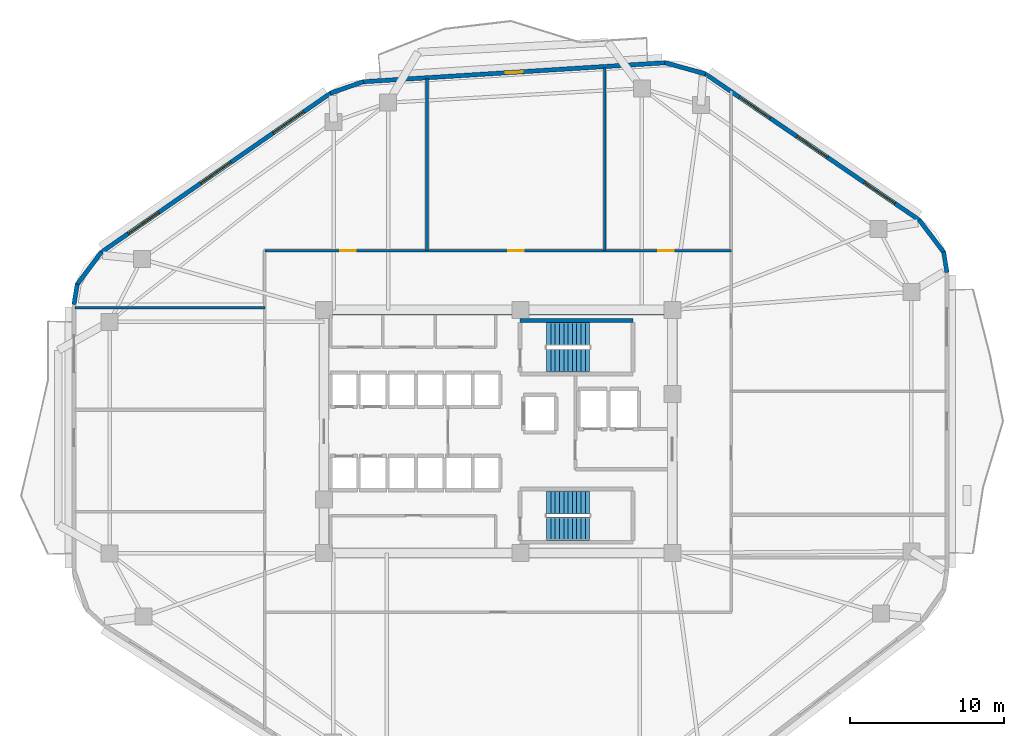
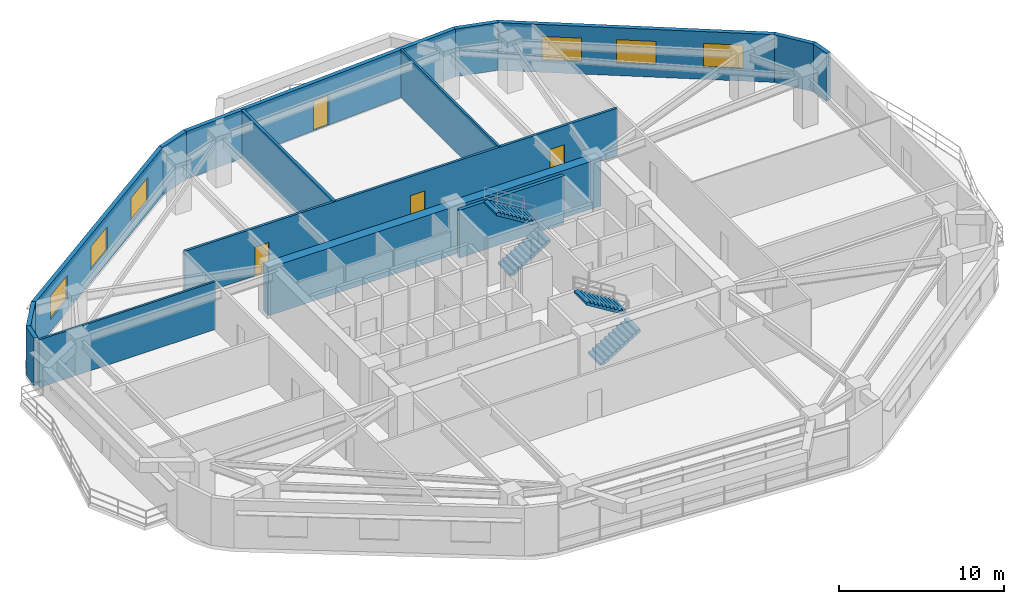
# One storey, part 9 of 12: 15 walls, 6 windows, 4 doors, 4 stair flights, 10 openings, 2 elements without a shape of their own.
"""IFC4 building model written with IfcOpenShell, lengths in metres."""

import ifcopenshell
import ifcopenshell.guid

model = None  # the IFC model being written
_history = None  # IfcOwnerHistory: only IFC2X3 demands one
_inside = {}  # id of a spatial element -> (the spatial element, [elements in it])
_under = {}  # id of a project, library or spatial element -> (it, [spatial elements below it])
_declared = {}  # id of a project -> (the project, [libraries it declares])
_typed = {}  # id of a type object -> (the type object, [elements of that type])
_made_of = {}  # id of a material, layer set ... -> (it, [elements and type objects made of it])


def new_model(schema):
    """Start an empty IFC model of exactly this schema.

    Asked for "IFC4X3", IfcOpenShell would pick the latest addendum, in which some entities
    have other attributes; the version numbers below select the first issue.
    IFC2X3 requires an IfcOwnerHistory on every rooted entity: one is made here for all.
    """
    global model, _history
    if schema == "IFC4X3":
        model = ifcopenshell.file(schema_version=(4, 3, 0, 0))
    else:
        model = ifcopenshell.file(schema=schema)
    _inside.clear()
    _under.clear()
    _declared.clear()
    _typed.clear()
    _made_of.clear()
    _history = None
    if model.schema == "IFC2X3":
        org = make("IfcOrganization", Name="unknown")
        user = make(
            "IfcPersonAndOrganization",
            ThePerson=make("IfcPerson", FamilyName="unknown"),
            TheOrganization=org,
        )
        app = make(
            "IfcApplication",
            ApplicationDeveloper=org,
            Version="unknown",
            ApplicationFullName="unknown",
            ApplicationIdentifier="unknown",
        )
        _history = make(
            "IfcOwnerHistory",
            OwningUser=user,
            OwningApplication=app,
            ChangeAction="ADDED",
            CreationDate=0,
        )
    return model


def make(cls, **values):
    """One entity of the class cls with the attributes given. An attribute that is None is left unset."""
    return model.create_entity(
        cls, **{name: value for name, value in values.items() if value is not None}
    )


def rooted(cls, **values):
    """An entity with a GlobalId (a new one), such as an element, a storey or a relation."""
    return make(cls, GlobalId=ifcopenshell.guid.new(), OwnerHistory=_history, **values)


def si_unit(unit_type, name, prefix=None):
    """IfcSIUnit, for example si_unit("LENGTHUNIT", "METRE", prefix="MILLI")."""
    return make("IfcSIUnit", UnitType=unit_type, Prefix=prefix, Name=name)


def assignment(units):
    """IfcUnitAssignment: the units of a project."""
    return None if units is None else make("IfcUnitAssignment", Units=units)


def point(xyz):
    """IfcCartesianPoint."""
    return None if xyz is None else make("IfcCartesianPoint", Coordinates=xyz)


def direction(xyz):
    """IfcDirection."""
    return None if xyz is None else make("IfcDirection", DirectionRatios=xyz)


def frame(location, z_axis=None, x_axis=None):
    """IfcAxis2Placement3D, a coordinate frame: its origin and axes. An axis left out is left unset."""
    return make(
        "IfcAxis2Placement3D",
        Location=point(location),
        Axis=direction(z_axis),
        RefDirection=direction(x_axis),
    )


def frame_2d(location, x_axis=None):
    """IfcAxis2Placement2D, a coordinate frame in the plane: its origin and x axis."""
    return make(
        "IfcAxis2Placement2D", Location=point(location), RefDirection=direction(x_axis)
    )


def origin():
    """The frame at (0, 0, 0) with its axes left unset."""
    return frame((0.0, 0.0, 0.0))


def place(relative_to, where):
    """IfcLocalPlacement: puts the frame where relative to a parent placement (None: the world)."""
    return make(
        "IfcLocalPlacement", PlacementRelTo=relative_to, RelativePlacement=where
    )


def context(
    kind, dimensions, precision=None, world=None, true_north=None, identifier=None
):
    """IfcGeometricRepresentationContext, for example the 3D "Model" context."""
    return make(
        "IfcGeometricRepresentationContext",
        ContextIdentifier=identifier,
        ContextType=kind,
        CoordinateSpaceDimension=dimensions,
        Precision=precision,
        WorldCoordinateSystem=world,
        TrueNorth=true_north,
    )


def subcontext(parent, identifier, kind, view, scale=None):
    """IfcGeometricRepresentationSubContext, for example "Body" below "Model"."""
    return make(
        "IfcGeometricRepresentationSubContext",
        ContextIdentifier=identifier,
        ContextType=kind,
        ParentContext=parent,
        TargetScale=scale,
        TargetView=view,
    )


def project(units=None, contexts=None):
    """IfcProject with its units and contexts."""
    return rooted(
        "IfcProject",
        Name="project",
        RepresentationContexts=contexts,
        UnitsInContext=assignment(units),
    )


def spatial(cls, under=None, at=None, **own):
    """A site, building, storey or space (cls), placed at a placement, below another one or the project."""
    s = rooted(cls, ObjectPlacement=at, **own)
    if under is not None:
        _under.setdefault(under.id(), (under, []))[1].append(s)
    return s


def polyline(points):
    """IfcPolyline through the points."""
    return make("IfcPolyline", Points=[point(p) for p in points])


def profile(cls, at=None, kind="AREA", **sizes):
    """A parametric profile (cls). Its sizes go by their IFC names, for example OverallWidth=200.0."""
    return make(cls, ProfileType=kind, Position=at, **sizes)


def rectangle(**sizes):
    """IfcRectangleProfileDef."""
    return profile("IfcRectangleProfileDef", **sizes)


def outline(outer, holes=None, kind="AREA"):
    """IfcArbitraryClosedProfileDef: a profile drawn as a closed curve; with holes, ...WithVoids."""
    if holes is None:
        return make("IfcArbitraryClosedProfileDef", ProfileType=kind, OuterCurve=outer)
    return make(
        "IfcArbitraryProfileDefWithVoids",
        ProfileType=kind,
        OuterCurve=outer,
        InnerCurves=holes,
    )


def extrude(swept, where, along, depth):
    """IfcExtrudedAreaSolid: the profile swept, set in the frame where, extruded along a direction by depth."""
    return make(
        "IfcExtrudedAreaSolid",
        SweptArea=swept,
        Position=where,
        ExtrudedDirection=direction(along),
        Depth=depth,
    )


def shape(context_of_items, identifier, shape_type, items):
    """IfcShapeRepresentation: the items that make up one representation, for example the "Body"."""
    return make(
        "IfcShapeRepresentation",
        ContextOfItems=context_of_items,
        RepresentationIdentifier=identifier,
        RepresentationType=shape_type,
        Items=items,
    )


def material(Name=None, Category=None):
    """IfcMaterial."""
    return make("IfcMaterial", Name=Name, Category=Category)


def layer(
    of_material, thickness, ventilated=None, Name=None, Category=None, Priority=None
):
    """IfcMaterialLayer: one layer of a wall or slab, of a material (None: an air gap)."""
    return make(
        "IfcMaterialLayer",
        Material=of_material,
        LayerThickness=thickness,
        IsVentilated=ventilated,
        Name=Name,
        Category=Category,
        Priority=Priority,
    )


def layer_set(layers, Name=None):
    """IfcMaterialLayerSet."""
    return make("IfcMaterialLayerSet", MaterialLayers=layers, LayerSetName=Name)


def made_of(thing, what):
    """Note that an element or type object is made of a material, layer set ...; save() writes the relation."""
    if what is not None:
        _made_of.setdefault(what.id(), (what, []))[1].append(thing)
    return thing


def type_object(cls, material=None, **own):
    """A type object (cls), such as IfcWallType, which elements share."""
    return made_of(rooted(cls, **own), material)


def element(
    cls,
    number,
    at=None,
    inside=None,
    cuts=None,
    type_object=None,
    material=None,
    context=None,
    identifier="Body",
    shape_type=None,
    held_by="IfcProductDefinitionShape",
    body=None,
    shapes=None,
    **own,
):
    """One element of the class cls, such as IfcWall. Its Tag is "e" and its number.

    at: its placement. inside: the storey or other place that contains it. cuts: it is an
    opening in that element (IfcRelVoidsElement). A single representation is given by context,
    identifier, shape_type and body (its items); several are given by shapes. held_by: the class
    of the entity that holds the representations. save() writes the other relations.
    """
    e = rooted(cls, Tag="e%d" % number, ObjectPlacement=at, **own)
    if body is not None:
        shapes = [shape(context, identifier, shape_type, body)]
    if shapes is not None:
        e.Representation = make(held_by, Representations=shapes)
    if inside is not None:
        _inside.setdefault(inside.id(), (inside, []))[1].append(e)
    if cuts is not None:
        rooted(
            "IfcRelVoidsElement", RelatingBuildingElement=cuts, RelatedOpeningElement=e
        )
    if type_object is not None:
        _typed.setdefault(type_object.id(), (type_object, []))[1].append(e)
    return made_of(e, material)


def fill(opening, filler):
    """IfcRelFillsElement: the door or window that sits in an opening."""
    return rooted(
        "IfcRelFillsElement",
        RelatingOpeningElement=opening,
        RelatedBuildingElement=filler,
    )


def aggregate(whole, parts):
    """IfcRelAggregates: a whole, such as a stair, and the parts it consists of."""
    return rooted("IfcRelAggregates", RelatingObject=whole, RelatedObjects=parts)


def save(model, path):
    """Write the relations noted so far, then the file.

    IfcRelAggregates (storeys below a building ...), IfcRelContainedInSpatialStructure (elements
    in a storey), IfcRelDefinesByType, IfcRelAssociatesMaterial and IfcRelDeclares: one each for
    every whole, place, type object, material and project.
    """
    for whole, parts in _under.values():
        aggregate(whole, parts)
    for where, things in _inside.values():
        rooted(
            "IfcRelContainedInSpatialStructure",
            RelatedElements=things,
            RelatingStructure=where,
        )
    for kind, things in _typed.values():
        rooted("IfcRelDefinesByType", RelatedObjects=things, RelatingType=kind)
    for what, things in _made_of.values():
        rooted("IfcRelAssociatesMaterial", RelatedObjects=things, RelatingMaterial=what)
    for by, libraries in _declared.values():
        rooted("IfcRelDeclares", RelatingContext=by, RelatedDefinitions=libraries)
    model.write(path)


model = new_model("IFC4")

# Units and contexts
model_context = context("Model", 3, precision=1e-05, world=origin(), true_north=direction((0.0, 1.0)))
body_context = subcontext(model_context, "Body", "Model", "MODEL_VIEW")
ifc_project = project(units=[si_unit("LENGTHUNIT", "METRE"), si_unit("AREAUNIT", "SQUARE_METRE"), si_unit("VOLUMEUNIT", "CUBIC_METRE"), si_unit("PLANEANGLEUNIT", "RADIAN"), si_unit("MASSUNIT", "GRAM", prefix="KILO")], contexts=[model_context])

# Site, building, storey
site_placement = place(None, origin())
site = spatial("IfcSite", under=ifc_project, at=site_placement, CompositionType="ELEMENT")
building_placement = place(site_placement, origin())
building = spatial("IfcBuilding", under=site, at=building_placement, Name="Zulverin Broadcast Headquarters", CompositionType="ELEMENT")
storey_placement = place(building_placement, frame((0.0, 0.0, 93.39990234375)))
storey = spatial("IfcBuildingStorey", under=building, at=storey_placement, Name="L23", CompositionType="ELEMENT", Elevation=93.39990234375)

# Walls
ifc_material_1 = material(Name="Acoustic drywall steel stud", Category="steel")
ifc_layer_1 = layer(ifc_material_1, 0.199951171875, Name="Acoustic drywall steel stud", Category="steel")
ifc_layer_set_1 = layer_set([ifc_layer_1], Name="Acoustic drywall steel stud")
wall_type_1 = type_object("IfcWallType", Name="WL-ACOU-200", PredefinedType="PARTITIONING", material=ifc_layer_set_1)
wall_1_placement = place(storey_placement, frame((32.39990234375, 36.90087890625, 0.0), z_axis=(0.0, 0.0, 1.0), x_axis=(0.0, 1.0, 0.0)))
element("IfcWall", 1, at=wall_1_placement, inside=storey, type_object=wall_type_1, Name="L23 Room Partition Wall RP-03", PredefinedType="PARTITIONING", context=body_context, shape_type="SweptSolid", body=[
    extrude(rectangle(XDim=11.130615234375, YDim=0.199951171875, at=frame_2d((5.5654296875, 0.0))), origin(), (0.0, 0.0, 1.0), 3.525146484375),
])
ifc_material_2 = material(Name="Concrete C60/75", Category="concrete")
ifc_layer_2 = layer(ifc_material_2, 0.64990234375, Name="Concrete C60/75", Category="concrete")
ifc_layer_set_2 = layer_set([ifc_layer_2], Name="Concrete C60/75")
wall_type_2 = type_object("IfcWallType", Name="WL-CORE-650", PredefinedType="SHEAR", material=ifc_layer_set_2)
wall_2_placement = place(storey_placement, frame((25.39990234375, 33.074951171875, 0.0), z_axis=(0.0, 0.0, 1.0), x_axis=(1.0, 0.0, 0.0)))
element("IfcWall", 2, at=wall_2_placement, inside=storey, type_object=wall_type_2, Name="L23 Core North Shear Wall", PredefinedType="SHEAR", context=body_context, shape_type="SweptSolid", body=[
    extrude(rectangle(XDim=23.2001953125, YDim=0.64990234375, at=frame_2d((11.60009765625, 0.0))), origin(), (0.0, 0.0, 1.0), 3.525146484375),
])

# Wall, openings, windows
ifc_material_3 = material(Name="Insulated pale-metal clad concrete spandrel C40/50", Category="concrete")
ifc_layer_3 = layer(ifc_material_3, 0.280029296875, Name="Insulated pale-metal clad concrete spandrel C40/50", Category="concrete")
ifc_layer_set_3 = layer_set([ifc_layer_3], Name="Insulated pale-metal clad concrete spandrel C40/50")
wall_type_3 = type_object("IfcWallType", Name="WL-EXT-280", PredefinedType="STANDARD", material=ifc_layer_set_3)
wall_3_placement = place(storey_placement, frame((64.289794921875, 38.8671875, 0.0), z_axis=(0.0, 0.0, 1.0), x_axis=(-0.825755550159, 0.564028165416, 0.0)))
wall_3 = element("IfcWall", 3, at=wall_3_placement, inside=storey, type_object=wall_type_3, Name="L23 Pale-Metal Clad Spandrel Wall 4", PredefinedType="STANDARD", context=body_context, shape_type="SweptSolid", body=[
    extrude(rectangle(XDim=16.848388671875, YDim=0.280029296875, at=frame_2d((8.42431640625, 0.0))), origin(), (0.0, 0.0, 1.0), 3.525146484375),
])
opening_1_placement = place(wall_3_placement, frame((1.94140625, 0.0, 0.89990234375)))
opening_1 = element("IfcOpeningElement", 4, at=opening_1_placement, cuts=wall_3, Name="Opening W-L23-E41", PredefinedType="OPENING", context=body_context, shape_type="SweptSolid", body=[
    extrude(rectangle(XDim=2.39990234375, YDim=1.75, at=frame_2d((1.199951171875, 0.875))), frame((0.0, 0.14990234375, 0.0), z_axis=(0.0, -1.0, 0.0), x_axis=(1.0, 0.0, 0.0)), (0.0, 0.0, 1.0), 0.300048828125),
])
opening_2_placement = place(wall_3_placement, frame((7.22412109375, 0.0, 0.89990234375)))
opening_2 = element("IfcOpeningElement", 5, at=opening_2_placement, cuts=wall_3, Name="Opening W-L23-E42", PredefinedType="OPENING", context=body_context, shape_type="SweptSolid", body=[
    extrude(rectangle(XDim=2.39990234375, YDim=1.75, at=frame_2d((1.199951171875, 0.875))), frame((0.0, 0.14990234375, 0.0), z_axis=(0.0, -1.0, 0.0), x_axis=(1.0, 0.0, 0.0)), (0.0, 0.0, 1.0), 0.300048828125),
])
opening_3_placement = place(wall_3_placement, frame((11.726806640625, 0.0, 0.89990234375)))
opening_3 = element("IfcOpeningElement", 6, at=opening_3_placement, cuts=wall_3, Name="Opening W-L23-E43", PredefinedType="OPENING", context=body_context, shape_type="SweptSolid", body=[
    extrude(rectangle(XDim=2.39990234375, YDim=1.75, at=frame_2d((1.199951171875, 0.875))), frame((0.0, 0.14990234375, 0.0), z_axis=(0.0, -1.0, 0.0), x_axis=(1.0, 0.0, 0.0)), (0.0, 0.0, 1.0), 0.300048828125),
])
ifc_material_4 = material(Name="Pale anodized aluminium frame with solar-control low-E double glazing", Category="aluminium")
window_type = type_object("IfcWindowType", Name="WIN-RIB-2400", PartitioningType="SINGLE_PANEL", PredefinedType="WINDOW", material=ifc_material_4)
window_1_placement = place(opening_1_placement, origin())
window_1 = element("IfcWindow", 7, at=window_1_placement, inside=storey, type_object=window_type, Name="L23 Ribbon Glazing Window 4 1", OverallHeight=1.75, OverallWidth=2.39990234375, PartitioningType="SINGLE_PANEL", PredefinedType="WINDOW", context=body_context, shape_type="SweptSolid", body=[
    extrude(rectangle(XDim=2.39990234375, YDim=1.75, at=frame_2d((1.199951171875, 0.875))), frame((0.0, 0.030029296875, 0.0), z_axis=(0.0, -1.0, 0.0), x_axis=(1.0, 0.0, 0.0)), (0.0, 0.0, 1.0), 0.06005859375),
])
fill(opening_1, window_1)
window_2_placement = place(opening_2_placement, origin())
window_2 = element("IfcWindow", 8, at=window_2_placement, inside=storey, type_object=window_type, Name="L23 Ribbon Glazing Window 4 2", OverallHeight=1.75, OverallWidth=2.39990234375, PartitioningType="SINGLE_PANEL", PredefinedType="WINDOW", context=body_context, shape_type="SweptSolid", body=[
    extrude(rectangle(XDim=2.39990234375, YDim=1.75, at=frame_2d((1.199951171875, 0.875))), frame((0.0, 0.030029296875, 0.0), z_axis=(0.0, -1.0, 0.0), x_axis=(1.0, 0.0, 0.0)), (0.0, 0.0, 1.0), 0.06005859375),
])
fill(opening_2, window_2)
window_3_placement = place(opening_3_placement, origin())
window_3 = element("IfcWindow", 9, at=window_3_placement, inside=storey, type_object=window_type, Name="L23 Ribbon Glazing Window 4 3", OverallHeight=1.75, OverallWidth=2.39990234375, PartitioningType="SINGLE_PANEL", PredefinedType="WINDOW", context=body_context, shape_type="SweptSolid", body=[
    extrude(rectangle(XDim=2.39990234375, YDim=1.75, at=frame_2d((1.199951171875, 0.875))), frame((0.0, 0.030029296875, 0.0), z_axis=(0.0, -1.0, 0.0), x_axis=(1.0, 0.0, 0.0)), (0.0, 0.0, 1.0), 0.06005859375),
])
fill(opening_3, window_3)

# Wall, opening, door
wall_4_placement = place(storey_placement, frame((47.831787109375, 49.0693359375, 0.0), z_axis=(0.0, 0.0, 1.0), x_axis=(-0.998017725054, -0.062933460723, 0.0)))
wall_4 = element("IfcWall", 10, at=wall_4_placement, inside=storey, type_object=wall_type_3, Name="L23 Pale-Metal Clad Spandrel Wall 5", PredefinedType="STANDARD", context=body_context, shape_type="SweptSolid", body=[
    extrude(rectangle(XDim=19.62939453125, YDim=0.280029296875, at=frame_2d((9.814697265625, 0.0))), origin(), (0.0, 0.0, 1.0), 3.525146484375),
])
opening_4_placement = place(wall_4_placement, frame((9.264892578125, 0.0, 0.0)))
opening_4 = element("IfcOpeningElement", 11, at=opening_4_placement, cuts=wall_4, Name="Opening D-L23-TR5", PredefinedType="OPENING", context=body_context, shape_type="SweptSolid", body=[
    extrude(rectangle(XDim=1.10009765625, YDim=2.199951171875, at=frame_2d((0.550048828125, 1.10009765625))), frame((0.0, 0.14990234375, 0.0), z_axis=(0.0, -1.0, 0.0), x_axis=(1.0, 0.0, 0.0)), (0.0, 0.0, 1.0), 0.300048828125),
])
ifc_material_5 = material(Name="Thermally broken aluminium glazed", Category="aluminium")
door_type_1 = type_object("IfcDoorType", Name="DR-TERR-1100", OperationType="SINGLE_SWING_RIGHT", PredefinedType="DOOR", material=ifc_material_5)
door_1_placement = place(opening_4_placement, origin())
door_1 = element("IfcDoor", 12, at=door_1_placement, inside=storey, type_object=door_type_1, Name="L23 Planted Terrace Glazed Access Door 5", OperationType="SINGLE_SWING_RIGHT", OverallHeight=2.199951171875, OverallWidth=1.10009765625, PredefinedType="DOOR", context=body_context, shape_type="SweptSolid", body=[
    extrude(rectangle(XDim=1.10009765625, YDim=2.199951171875, at=frame_2d((0.550048828125, 1.10009765625))), frame((0.0, 0.02490234375, 0.0), z_axis=(0.0, -1.0, 0.0), x_axis=(1.0, 0.0, 0.0)), (0.0, 0.0, 1.0), 0.050048828125),
])
fill(opening_4, door_1)

# Wall, openings, windows
wall_5_placement = place(storey_placement, frame((26.181884765625, 47.11767578125, 0.0), z_axis=(0.0, 0.0, 1.0), x_axis=(-0.821547956627, -0.570139417127, 0.0)))
wall_5 = element("IfcWall", 13, at=wall_5_placement, inside=storey, type_object=wall_type_3, Name="L23 Pale-Metal Clad Spandrel Wall 6", PredefinedType="STANDARD", context=body_context, shape_type="SweptSolid", body=[
    extrude(rectangle(XDim=18.13232421875, YDim=0.280029296875, at=frame_2d((9.066162109375, 0.0))), origin(), (0.0, 0.0, 1.0), 3.525146484375),
])
opening_5_placement = place(wall_5_placement, frame((2.155517578125, 0.0, 0.89990234375)))
opening_5 = element("IfcOpeningElement", 14, at=opening_5_placement, cuts=wall_5, Name="Opening W-L23-E61", PredefinedType="OPENING", context=body_context, shape_type="SweptSolid", body=[
    extrude(rectangle(XDim=2.39990234375, YDim=1.75, at=frame_2d((1.199951171875, 0.875))), frame((0.0, 0.14990234375, 0.0), z_axis=(0.0, -1.0, 0.0), x_axis=(1.0, 0.0, 0.0)), (0.0, 0.0, 1.0), 0.300048828125),
])
opening_6_placement = place(wall_5_placement, frame((7.8662109375, 0.0, 0.89990234375)))
opening_6 = element("IfcOpeningElement", 15, at=opening_6_placement, cuts=wall_5, Name="Opening W-L23-E62", PredefinedType="OPENING", context=body_context, shape_type="SweptSolid", body=[
    extrude(rectangle(XDim=2.39990234375, YDim=1.75, at=frame_2d((1.199951171875, 0.875))), frame((0.0, 0.14990234375, 0.0), z_axis=(0.0, -1.0, 0.0), x_axis=(1.0, 0.0, 0.0)), (0.0, 0.0, 1.0), 0.300048828125),
])
opening_7_placement = place(wall_5_placement, frame((13.576904296875, 0.0, 0.89990234375)))
opening_7 = element("IfcOpeningElement", 16, at=opening_7_placement, cuts=wall_5, Name="Opening W-L23-E63", PredefinedType="OPENING", context=body_context, shape_type="SweptSolid", body=[
    extrude(rectangle(XDim=2.39990234375, YDim=1.75, at=frame_2d((1.199951171875, 0.875))), frame((0.0, 0.14990234375, 0.0), z_axis=(0.0, -1.0, 0.0), x_axis=(1.0, 0.0, 0.0)), (0.0, 0.0, 1.0), 0.300048828125),
])
window_4_placement = place(opening_5_placement, origin())
window_4 = element("IfcWindow", 17, at=window_4_placement, inside=storey, type_object=window_type, Name="L23 Ribbon Glazing Window 6 1", OverallHeight=1.75, OverallWidth=2.39990234375, PartitioningType="SINGLE_PANEL", PredefinedType="WINDOW", context=body_context, shape_type="SweptSolid", body=[
    extrude(rectangle(XDim=2.39990234375, YDim=1.75, at=frame_2d((1.199951171875, 0.875))), frame((0.0, 0.030029296875, 0.0), z_axis=(0.0, -1.0, 0.0), x_axis=(1.0, 0.0, 0.0)), (0.0, 0.0, 1.0), 0.06005859375),
])
fill(opening_5, window_4)
window_5_placement = place(opening_6_placement, origin())
window_5 = element("IfcWindow", 18, at=window_5_placement, inside=storey, type_object=window_type, Name="L23 Ribbon Glazing Window 6 2", OverallHeight=1.75, OverallWidth=2.39990234375, PartitioningType="SINGLE_PANEL", PredefinedType="WINDOW", context=body_context, shape_type="SweptSolid", body=[
    extrude(rectangle(XDim=2.39990234375, YDim=1.75, at=frame_2d((1.199951171875, 0.875))), frame((0.0, 0.030029296875, 0.0), z_axis=(0.0, -1.0, 0.0), x_axis=(1.0, 0.0, 0.0)), (0.0, 0.0, 1.0), 0.06005859375),
])
fill(opening_6, window_5)
window_6_placement = place(opening_7_placement, origin())
window_6 = element("IfcWindow", 19, at=window_6_placement, inside=storey, type_object=window_type, Name="L23 Ribbon Glazing Window 6 3", OverallHeight=1.75, OverallWidth=2.39990234375, PartitioningType="SINGLE_PANEL", PredefinedType="WINDOW", context=body_context, shape_type="SweptSolid", body=[
    extrude(rectangle(XDim=2.39990234375, YDim=1.75, at=frame_2d((1.199951171875, 0.875))), frame((0.0, 0.030029296875, 0.0), z_axis=(0.0, -1.0, 0.0), x_axis=(1.0, 0.0, 0.0)), (0.0, 0.0, 1.0), 0.06005859375),
])
fill(opening_7, window_6)

# Walls
wall_6_placement = place(storey_placement, frame((66.061767578125, 35.491943359375, 0.0), z_axis=(0.0, 0.0, 1.0), x_axis=(-0.161182073582, 0.986924687682, 0.0)))
element("IfcWall", 20, at=wall_6_placement, inside=storey, type_object=wall_type_3, Name="L23 Wind-Shaped Corner Spandrel Wall 3-1", PredefinedType="STANDARD", context=body_context, shape_type="SweptSolid", body=[
    extrude(rectangle(XDim=1.354248046875, YDim=0.280029296875, at=frame_2d((0.67724609375, 0.0))), origin(), (0.0, 0.0, 1.0), 3.525146484375),
])
wall_7_placement = place(storey_placement, frame((65.8701171875, 36.7666015625, 0.0), z_axis=(0.0, 0.0, 1.0), x_axis=(-0.603370463754, 0.797461023166, 0.0)))
element("IfcWall", 21, at=wall_7_placement, inside=storey, type_object=wall_type_3, Name="L23 Wind-Shaped Corner Spandrel Wall 3-2", PredefinedType="STANDARD", context=body_context, shape_type="SweptSolid", body=[
    extrude(rectangle(XDim=2.6728515625, YDim=0.280029296875, at=frame_2d((1.33642578125, 0.0))), origin(), (0.0, 0.0, 1.0), 3.525146484375),
])
wall_8_placement = place(storey_placement, frame((50.419189453125, 48.3505859375, 0.0), z_axis=(0.0, 0.0, 1.0), x_axis=(-0.964254516967, 0.264977784933, 0.0)))
element("IfcWall", 22, at=wall_8_placement, inside=storey, type_object=wall_type_3, Name="L23 Wind-Shaped Corner Spandrel Wall 4-1", PredefinedType="STANDARD", context=body_context, shape_type="SweptSolid", body=[
    extrude(rectangle(XDim=2.73095703125, YDim=0.280029296875, at=frame_2d((1.365478515625, 0.0))), origin(), (0.0, 0.0, 1.0), 3.525146484375),
])
wall_9_placement = place(storey_placement, frame((28.2783203125, 47.841552734375, 0.0), z_axis=(0.0, 0.0, 1.0), x_axis=(-0.9444559001, -0.328638179106, 0.0)))
element("IfcWall", 23, at=wall_9_placement, inside=storey, type_object=wall_type_3, Name="L23 Wind-Shaped Corner Spandrel Wall 5-1", PredefinedType="STANDARD", context=body_context, shape_type="SweptSolid", body=[
    extrude(rectangle(XDim=2.25537109375, YDim=0.280029296875, at=frame_2d((1.127685546875, 0.0))), origin(), (0.0, 0.0, 1.0), 3.525146484375),
])
wall_10_placement = place(storey_placement, frame((11.317626953125, 36.81103515625, 0.0), z_axis=(0.0, 0.0, 1.0), x_axis=(-0.599455152629, -0.800408345775, 0.0)))
element("IfcWall", 24, at=wall_10_placement, inside=storey, type_object=wall_type_3, Name="L23 Wind-Shaped Corner Spandrel Wall 6-1", PredefinedType="STANDARD", context=body_context, shape_type="SweptSolid", body=[
    extrude(rectangle(XDim=2.6533203125, YDim=0.280029296875, at=frame_2d((1.32666015625, 0.0))), origin(), (0.0, 0.0, 1.0), 3.525146484375),
])
wall_11_placement = place(storey_placement, frame((9.753173828125, 34.748779296875, 0.0), z_axis=(0.0, 0.0, 1.0), x_axis=(-0.160037671962, -0.987110907423, 0.0)))
element("IfcWall", 25, at=wall_11_placement, inside=storey, type_object=wall_type_3, Name="L23 Wind-Shaped Corner Spandrel Wall 6-2", PredefinedType="STANDARD", context=body_context, shape_type="SweptSolid", body=[
    extrude(rectangle(XDim=1.343994140625, YDim=0.280029296875, at=frame_2d((0.671875, 0.0))), origin(), (0.0, 0.0, 1.0), 3.525146484375),
])
ifc_material_6 = material(Name="Fire-rated gypsum stud partition", Category="gypsum")
ifc_layer_4 = layer(ifc_material_6, 0.14990234375, Name="Fire-rated gypsum stud partition", Category="gypsum")
ifc_layer_set_4 = layer_set([ifc_layer_4], Name="Fire-rated gypsum stud partition")
wall_type_4 = type_object("IfcWallType", Name="WL-PART-150", PredefinedType="PARTITIONING", material=ifc_layer_set_4)
wall_12_placement = place(storey_placement, frame((43.89990234375, 36.89990234375, 0.0), z_axis=(0.0, 0.0, 1.0), x_axis=(0.0, 1.0, 0.0)))
element("IfcWall", 26, at=wall_12_placement, inside=storey, type_object=wall_type_4, Name="L23 Room Partition Wall RP-02", PredefinedType="PARTITIONING", context=body_context, shape_type="SweptSolid", body=[
    extrude(rectangle(XDim=11.856689453125, YDim=0.14990234375, at=frame_2d((5.92822265625, 0.0))), origin(), (0.0, 0.0, 1.0), 3.525146484375),
])
wall_13_placement = place(storey_placement, frame((9.60498046875, 33.199951171875, 0.0), z_axis=(0.0, 0.0, 1.0), x_axis=(1.0, 0.0, 0.0)))
element("IfcWall", 27, at=wall_13_placement, inside=storey, type_object=wall_type_4, Name="L23 Room Partition Wall RP-11", PredefinedType="PARTITIONING", context=body_context, shape_type="SweptSolid", body=[
    extrude(rectangle(XDim=12.2939453125, YDim=0.14990234375, at=frame_2d((6.14697265625, 0.0))), origin(), (0.0, 0.0, 1.0), 3.525146484375),
])

# Wall, openings, doors
ifc_material_7 = material(Name="Fire-rated acoustic stud wall", Category="gypsum")
ifc_layer_5 = layer(ifc_material_7, 0.175048828125, Name="Fire-rated acoustic stud wall", Category="gypsum")
ifc_layer_set_5 = layer_set([ifc_layer_5], Name="Fire-rated acoustic stud wall")
wall_type_5 = type_object("IfcWallType", Name="WL-PART-175", PredefinedType="PARTITIONING", material=ifc_layer_set_5)
wall_14_placement = place(storey_placement, frame((21.89990234375, 36.89990234375, 0.0), z_axis=(0.0, 0.0, 1.0), x_axis=(1.0, 0.0, 0.0)))
wall_14 = element("IfcWall", 28, at=wall_14_placement, inside=storey, type_object=wall_type_5, Name="L23 Gallery Partition Wall CG-12", PredefinedType="PARTITIONING", context=body_context, shape_type="SweptSolid", body=[
    extrude(rectangle(XDim=30.2001953125, YDim=0.175048828125, at=frame_2d((15.10009765625, 0.0))), origin(), (0.0, 0.0, 1.0), 3.525146484375),
])
opening_8_placement = place(wall_14_placement, frame((4.8701171875, 0.0, 0.0)))
opening_8 = element("IfcOpeningElement", 29, at=opening_8_placement, cuts=wall_14, Name="Opening D-L23-01", PredefinedType="OPENING", context=body_context, shape_type="SweptSolid", body=[
    extrude(rectangle(XDim=1.0, YDim=2.1201171875, at=frame_2d((0.5, 1.06005859375))), frame((0.0, 0.097412109375, 0.0), z_axis=(0.0, -1.0, 0.0), x_axis=(1.0, 0.0, 0.0)), (0.0, 0.0, 1.0), 0.195068359375),
])
opening_9_placement = place(wall_14_placement, frame((15.75, 0.0, 0.0)))
opening_9 = element("IfcOpeningElement", 30, at=opening_9_placement, cuts=wall_14, Name="Opening D-L23-02", PredefinedType="OPENING", context=body_context, shape_type="SweptSolid", body=[
    extrude(rectangle(XDim=1.0, YDim=2.1201171875, at=frame_2d((0.5, 1.06005859375))), frame((0.0, 0.097412109375, 0.0), z_axis=(0.0, -1.0, 0.0), x_axis=(1.0, 0.0, 0.0)), (0.0, 0.0, 1.0), 0.195068359375),
])
opening_10_placement = place(wall_14_placement, frame((25.47998046875, 0.0, 0.0)))
opening_10 = element("IfcOpeningElement", 31, at=opening_10_placement, cuts=wall_14, Name="Opening D-L23-03", PredefinedType="OPENING", context=body_context, shape_type="SweptSolid", body=[
    extrude(rectangle(XDim=1.0, YDim=2.1201171875, at=frame_2d((0.5, 1.06005859375))), frame((0.0, 0.097412109375, 0.0), z_axis=(0.0, -1.0, 0.0), x_axis=(1.0, 0.0, 0.0)), (0.0, 0.0, 1.0), 0.195068359375),
])
ifc_material_8 = material(Name="Hardwood veneer acoustic leaf", Category="wood")
door_type_2 = type_object("IfcDoorType", Name="DR-OFF-1000", OperationType="SINGLE_SWING_LEFT", PredefinedType="DOOR", material=ifc_material_8)
door_2_placement = place(opening_8_placement, origin())
door_2 = element("IfcDoor", 32, at=door_2_placement, inside=storey, type_object=door_type_2, Name="L23 Correspondent Office Door", OperationType="SINGLE_SWING_RIGHT", OverallHeight=2.1201171875, OverallWidth=1.0, PredefinedType="DOOR", context=body_context, shape_type="SweptSolid", body=[
    extrude(rectangle(XDim=1.0, YDim=2.1201171875, at=frame_2d((0.5, 1.06005859375))), frame((0.0, 0.02490234375, 0.0), z_axis=(0.0, -1.0, 0.0), x_axis=(1.0, 0.0, 0.0)), (0.0, 0.0, 1.0), 0.050048828125),
])
fill(opening_8, door_2)
door_3_placement = place(opening_9_placement, origin())
door_3 = element("IfcDoor", 33, at=door_3_placement, inside=storey, type_object=door_type_2, Name="L23 Producer Office Door", OperationType="SINGLE_SWING_LEFT", OverallHeight=2.1201171875, OverallWidth=1.0, PredefinedType="DOOR", context=body_context, shape_type="SweptSolid", body=[
    extrude(rectangle(XDim=1.0, YDim=2.1201171875, at=frame_2d((0.5, 1.06005859375))), frame((0.0, 0.02490234375, 0.0), z_axis=(0.0, -1.0, 0.0), x_axis=(1.0, 0.0, 0.0)), (0.0, 0.0, 1.0), 0.050048828125),
])
fill(opening_9, door_3)
door_4_placement = place(opening_10_placement, origin())
door_4 = element("IfcDoor", 34, at=door_4_placement, inside=storey, type_object=door_type_2, Name="L23 Assignment Office Door", OperationType="SINGLE_SWING_RIGHT", OverallHeight=2.1201171875, OverallWidth=1.0, PredefinedType="DOOR", context=body_context, shape_type="SweptSolid", body=[
    extrude(rectangle(XDim=1.0, YDim=2.1201171875, at=frame_2d((0.5, 1.06005859375))), frame((0.0, 0.02490234375, 0.0), z_axis=(0.0, -1.0, 0.0), x_axis=(1.0, 0.0, 0.0)), (0.0, 0.0, 1.0), 0.050048828125),
])
fill(opening_10, door_4)

# Wall
ifc_material_9 = material(Name="Concrete C50/60", Category="concrete")
ifc_layer_6 = layer(ifc_material_9, 0.25, Name="Concrete C50/60", Category="concrete")
ifc_layer_set_6 = layer_set([ifc_layer_6], Name="Concrete C50/60")
wall_type_6 = type_object("IfcWallType", Name="WL-SHAFT-250", PredefinedType="SHEAR", material=ifc_layer_set_6)
wall_15_placement = place(storey_placement, frame((38.425048828125, 32.375, 0.0), z_axis=(0.0, 0.0, 1.0), x_axis=(1.0, 0.0, 0.0)))
element("IfcWall", 35, at=wall_15_placement, inside=storey, type_object=wall_type_6, Name="L23 ST-1 Enclosure Wall N", PredefinedType="SHEAR", context=body_context, shape_type="SweptSolid", body=[
    extrude(rectangle(XDim=7.300048828125, YDim=0.25, at=frame_2d((3.64990234375, 0.0))), origin(), (0.0, 0.0, 1.0), 3.525146484375),
])

# Stair, stair flights
ifc_material_10 = material(Name="Concrete C40/50", Category="concrete")
stair_type = type_object("IfcStairType", Name="ST-CORE-1500", PredefinedType="HALF_TURN_STAIR", material=ifc_material_10)
stair_1_placement = place(storey_placement, origin())
stair_1 = element("IfcStair", 36, at=stair_1_placement, inside=storey, type_object=stair_type, Name="L23 Core Exit Stair ST-1", PredefinedType="HALF_TURN_STAIR")
stair_flight_type = type_object("IfcStairFlightType", Name="SF-CORE-1500", PredefinedType="STRAIGHT", material=ifc_material_10)
stair_flight_1_placement = place(storey_placement, frame((40.1298828125, 29.800048828125, 0.0), z_axis=(0.0, 0.0, 1.0), x_axis=(1.0, 0.0, 0.0)))
stair_flight_1 = element("IfcStairFlight", 37, at=stair_flight_1_placement, type_object=stair_flight_type, Name="ST-1 flight 1", NumberOfRisers=11, NumberOfTreads=10, PredefinedType="STRAIGHT", RiserHeight=0.172727273, TreadLength=0.28, context=body_context, shape_type="SweptSolid", body=[
    extrude(outline(polyline([(0.0, 0.0), (0.0, 0.172607421875), (0.280029296875, 0.172607421875), (0.280029296875, 0.345458984375), (0.56005859375, 0.345458984375), (0.56005859375, 0.51806640625), (0.840087890625, 0.51806640625), (0.840087890625, 0.69091796875), (1.1201171875, 0.69091796875), (1.1201171875, 0.863525390625), (1.39990234375, 0.863525390625), (1.39990234375, 1.036376953125), (1.679931640625, 1.036376953125), (1.679931640625, 1.208984375), (1.9599609375, 1.208984375), (1.9599609375, 1.3818359375), (2.239990234375, 1.3818359375), (2.239990234375, 1.554443359375), (2.52001953125, 1.554443359375), (2.52001953125, 1.727294921875), (2.800048828125, 1.727294921875), (2.800048828125, 1.89990234375), (2.800048828125, 1.551025390625), (0.285400390625, 0.0), (0.0, 0.0)])), frame((0.0, 0.75, 0.0), z_axis=(0.0, -1.0, 0.0), x_axis=(1.0, 0.0, 0.0)), (0.0, 0.0, 1.0), 1.5),
])
stair_flight_2_placement = place(storey_placement, frame((42.929931640625, 31.5, 1.900146484375), z_axis=(0.0, 0.0, 1.0), x_axis=(-1.0, 0.0, 0.0)))
stair_flight_2 = element("IfcStairFlight", 38, at=stair_flight_2_placement, type_object=stair_flight_type, Name="ST-1 flight 2", NumberOfRisers=11, NumberOfTreads=10, PredefinedType="STRAIGHT", RiserHeight=0.172727273, TreadLength=0.28, context=body_context, shape_type="SweptSolid", body=[
    extrude(outline(polyline([(0.0, 0.0), (0.0, 0.172607421875), (0.280029296875, 0.172607421875), (0.280029296875, 0.345458984375), (0.56005859375, 0.345458984375), (0.56005859375, 0.51806640625), (0.840087890625, 0.51806640625), (0.840087890625, 0.69091796875), (1.1201171875, 0.69091796875), (1.1201171875, 0.863525390625), (1.39990234375, 0.863525390625), (1.39990234375, 1.036376953125), (1.679931640625, 1.036376953125), (1.679931640625, 1.208984375), (1.9599609375, 1.208984375), (1.9599609375, 1.3818359375), (2.239990234375, 1.3818359375), (2.239990234375, 1.554443359375), (2.52001953125, 1.554443359375), (2.52001953125, 1.727294921875), (2.800048828125, 1.727294921875), (2.800048828125, 1.89990234375), (2.800048828125, 1.551025390625), (0.285400390625, 0.0), (0.0, 0.0)])), frame((0.0, 0.75, 0.0), z_axis=(0.0, -1.0, 0.0), x_axis=(1.0, 0.0, 0.0)), (0.0, 0.0, 1.0), 1.5),
])
aggregate(stair_1, [stair_flight_1, stair_flight_2])

stair_2_placement = place(storey_placement, origin())
stair_2 = element("IfcStair", 39, at=stair_2_placement, inside=storey, type_object=stair_type, Name="L23 Core Exit Stair ST-2", PredefinedType="HALF_TURN_STAIR")
stair_flight_3_placement = place(storey_placement, frame((40.1298828125, 18.89990234375, 0.0), z_axis=(0.0, 0.0, 1.0), x_axis=(1.0, 0.0, 0.0)))
stair_flight_3 = element("IfcStairFlight", 40, at=stair_flight_3_placement, type_object=stair_flight_type, Name="ST-2 flight 1", NumberOfRisers=11, NumberOfTreads=10, PredefinedType="STRAIGHT", RiserHeight=0.172727273, TreadLength=0.28, context=body_context, shape_type="SweptSolid", body=[
    extrude(outline(polyline([(0.0, 0.0), (0.0, 0.172607421875), (0.280029296875, 0.172607421875), (0.280029296875, 0.345458984375), (0.56005859375, 0.345458984375), (0.56005859375, 0.51806640625), (0.840087890625, 0.51806640625), (0.840087890625, 0.69091796875), (1.1201171875, 0.69091796875), (1.1201171875, 0.863525390625), (1.39990234375, 0.863525390625), (1.39990234375, 1.036376953125), (1.679931640625, 1.036376953125), (1.679931640625, 1.208984375), (1.9599609375, 1.208984375), (1.9599609375, 1.3818359375), (2.239990234375, 1.3818359375), (2.239990234375, 1.554443359375), (2.52001953125, 1.554443359375), (2.52001953125, 1.727294921875), (2.800048828125, 1.727294921875), (2.800048828125, 1.89990234375), (2.800048828125, 1.551025390625), (0.285400390625, 0.0), (0.0, 0.0)])), frame((0.0, 0.75, 0.0), z_axis=(0.0, -1.0, 0.0), x_axis=(1.0, 0.0, 0.0)), (0.0, 0.0, 1.0), 1.5),
])
stair_flight_4_placement = place(storey_placement, frame((42.929931640625, 20.60009765625, 1.900146484375), z_axis=(0.0, 0.0, 1.0), x_axis=(-1.0, 0.0, 0.0)))
stair_flight_4 = element("IfcStairFlight", 41, at=stair_flight_4_placement, type_object=stair_flight_type, Name="ST-2 flight 2", NumberOfRisers=11, NumberOfTreads=10, PredefinedType="STRAIGHT", RiserHeight=0.172727273, TreadLength=0.28, context=body_context, shape_type="SweptSolid", body=[
    extrude(outline(polyline([(0.0, 0.0), (0.0, 0.172607421875), (0.280029296875, 0.172607421875), (0.280029296875, 0.345458984375), (0.56005859375, 0.345458984375), (0.56005859375, 0.51806640625), (0.840087890625, 0.51806640625), (0.840087890625, 0.69091796875), (1.1201171875, 0.69091796875), (1.1201171875, 0.863525390625), (1.39990234375, 0.863525390625), (1.39990234375, 1.036376953125), (1.679931640625, 1.036376953125), (1.679931640625, 1.208984375), (1.9599609375, 1.208984375), (1.9599609375, 1.3818359375), (2.239990234375, 1.3818359375), (2.239990234375, 1.554443359375), (2.52001953125, 1.554443359375), (2.52001953125, 1.727294921875), (2.800048828125, 1.727294921875), (2.800048828125, 1.89990234375), (2.800048828125, 1.551025390625), (0.285400390625, 0.0), (0.0, 0.0)])), frame((0.0, 0.75, 0.0), z_axis=(0.0, -1.0, 0.0), x_axis=(1.0, 0.0, 0.0)), (0.0, 0.0, 1.0), 1.5),
])
aggregate(stair_2, [stair_flight_3, stair_flight_4])

save(model, "model.ifc")
